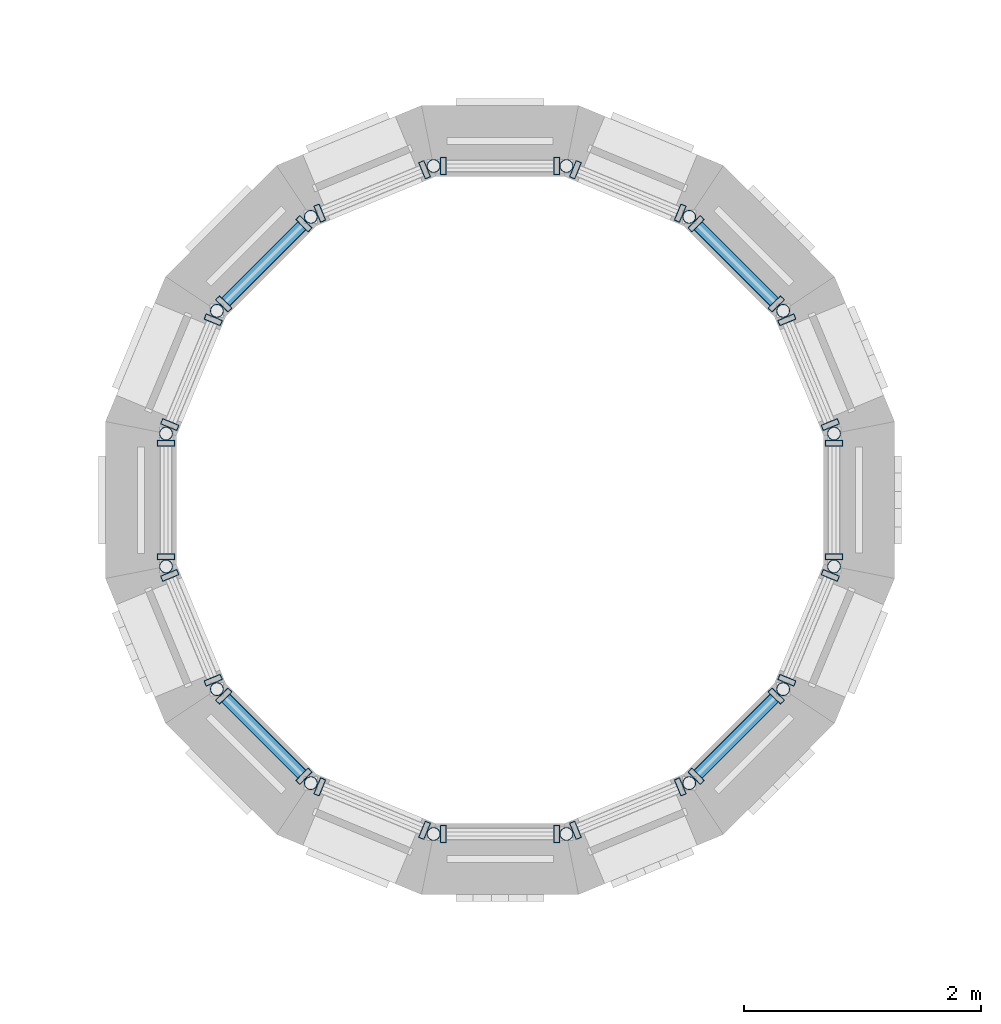
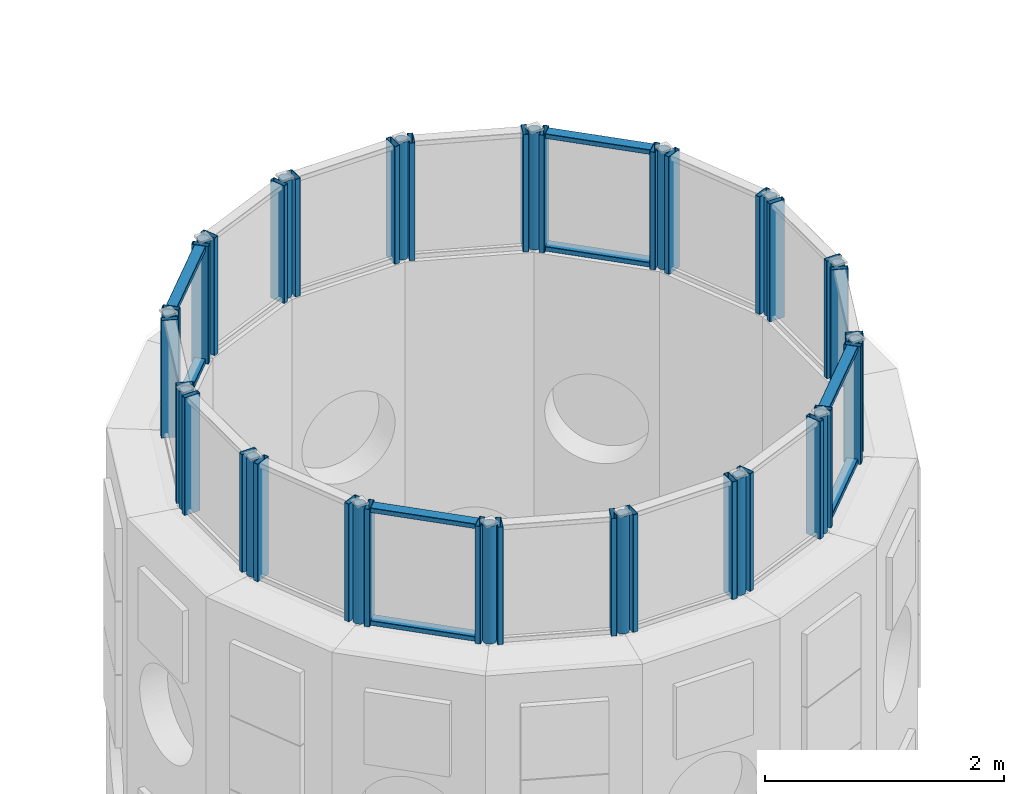
# One storey, part 3 of 42: 56 members, 16 elements without a shape of their own.
"""IFC4 building model written with IfcOpenShell, lengths in metres."""

from ifc_helpers import new_model, si_unit, direction, frame, origin, origin_2d, place, context, subcontext, project, spatial, hollow_rectangle, hollow_circle, extrude, material, material_profile, profile_set, type_object, element, aggregate, save


model = new_model("IFC4")

# Units and contexts
model_context = context("Model", 3, precision=1e-05, world=origin(), true_north=direction((0.0, 1.0)))
body_context = subcontext(model_context, "Body", "Model", "MODEL_VIEW")
ifc_project = project(units=[si_unit("LENGTHUNIT", "METRE"), si_unit("AREAUNIT", "SQUARE_METRE"), si_unit("VOLUMEUNIT", "CUBIC_METRE"), si_unit("PLANEANGLEUNIT", "RADIAN"), si_unit("MASSUNIT", "GRAM", prefix="KILO")], contexts=[model_context])

# Site, building, storey
site_placement = place(None, origin())
site = spatial("IfcSite", under=ifc_project, at=site_placement, CompositionType="ELEMENT")
building_placement = place(site_placement, origin())
building = spatial("IfcBuilding", under=site, at=building_placement, Name="Sun Court Science Centre", CompositionType="ELEMENT")
storey_placement = place(building_placement, frame((0.0, 0.0, 20.25)))
storey = spatial("IfcBuildingStorey", under=building, at=storey_placement, Name="L04", CompositionType="ELEMENT", Elevation=20.25)

# Curtain wall, members
ifc_material_1 = material(Name="Aluminium EN AW-6063 T6", Category="aluminium")
curtain_wall_type = type_object("IfcCurtainWallType", Name="Lantern clerestory curtain wall 1500", PredefinedType="NOTDEFINED", material=ifc_material_1)
curtain_wall_1_placement = place(storey_placement, origin())
curtain_wall_1 = element("IfcCurtainWall", 1, at=curtain_wall_1_placement, inside=storey, type_object=curtain_wall_type, Name="Curtain wall V2 C2 clerestory L04 01", PredefinedType="NOTDEFINED")
ifc_material_2 = material(Name="Aluminium EN AW-6063 T6", Category="aluminium")
ifc_material_profile_1 = material_profile(ifc_material_2, hollow_rectangle(XDim=0.050048828125, YDim=0.14990234375, WallThickness=0.00390625, InnerFilletRadius=0.00390625, OuterFilletRadius=0.006103515625, at=origin_2d()), Name="AL 50x150x4")
ifc_profile_set_1 = profile_set([ifc_material_profile_1], Name="Aluminium EN AW-6063 T6")
member_type_1 = type_object("IfcMemberType", Name="Curtain wall mullion AL 50x150", PredefinedType="MULLION", material=ifc_profile_set_1)
member_1_placement = place(storey_placement, frame((20.79150390625, 26.537353515625, 3.75), z_axis=(0.0, 0.0, 1.0), x_axis=(0.382683432365, -0.923879532511, 0.0)))
member_1 = element("IfcMember", 2, at=member_1_placement, type_object=member_type_1, Name="CW4-17 mullion 2", PredefinedType="MULLION", context=body_context, shape_type="SweptSolid", body=[
    extrude(hollow_rectangle(XDim=0.050048828125, YDim=0.14990234375, WallThickness=0.00390625, InnerFilletRadius=0.00390625, OuterFilletRadius=0.006103515625, at=origin_2d()), origin(), (0.0, 0.0, 1.0), 1.199951171875),
])
member_2_placement = place(storey_placement, frame((20.424560546875, 27.423095703125, 3.75), z_axis=(0.0, 0.0, 1.0), x_axis=(0.382683432365, -0.923879532511, 0.0)))
member_2 = element("IfcMember", 3, at=member_2_placement, type_object=member_type_1, Name="CW4-17 mullion 1", PredefinedType="MULLION", context=body_context, shape_type="SweptSolid", body=[
    extrude(hollow_rectangle(XDim=0.050048828125, YDim=0.14990234375, WallThickness=0.00390625, InnerFilletRadius=0.00390625, OuterFilletRadius=0.006103515625, at=origin_2d()), origin(), (0.0, 0.0, 1.0), 1.199951171875),
])
aggregate(curtain_wall_1, [member_1, member_2])

curtain_wall_2_placement = place(storey_placement, origin())
curtain_wall_2 = element("IfcCurtainWall", 4, at=curtain_wall_2_placement, inside=storey, type_object=curtain_wall_type, Name="Curtain wall V2 C2 clerestory L04 02", PredefinedType="NOTDEFINED")
member_3_placement = place(storey_placement, frame((19.6572265625, 28.235107421875, 3.75), z_axis=(0.0, 0.0, 1.0), x_axis=(0.707106781187, -0.707106781187, 0.0)))
member_3 = element("IfcMember", 5, at=member_3_placement, type_object=member_type_1, Name="CW4-18 mullion 1", PredefinedType="MULLION", context=body_context, shape_type="SweptSolid", body=[
    extrude(hollow_rectangle(XDim=0.050048828125, YDim=0.14990234375, WallThickness=0.00390625, InnerFilletRadius=0.00390625, OuterFilletRadius=0.006103515625, at=origin_2d()), origin(), (0.0, 0.0, 1.0), 1.199951171875),
])
member_4_placement = place(storey_placement, frame((20.335205078125, 27.55712890625, 3.75), z_axis=(0.0, 0.0, 1.0), x_axis=(0.707106781187, -0.707106781187, 0.0)))
member_4 = element("IfcMember", 6, at=member_4_placement, type_object=member_type_1, Name="CW4-18 mullion 2", PredefinedType="MULLION", context=body_context, shape_type="SweptSolid", body=[
    extrude(hollow_rectangle(XDim=0.050048828125, YDim=0.14990234375, WallThickness=0.00390625, InnerFilletRadius=0.00390625, OuterFilletRadius=0.006103515625, at=origin_2d()), origin(), (0.0, 0.0, 1.0), 1.199951171875),
])

curtain_wall_3_placement = place(storey_placement, origin())
curtain_wall_3 = element("IfcCurtainWall", 7, at=curtain_wall_3_placement, inside=storey, type_object=curtain_wall_type, Name="Curtain wall V2 C2 clerestory L04 03", PredefinedType="NOTDEFINED")
member_5_placement = place(storey_placement, frame((18.637451171875, 28.69140625, 3.75), z_axis=(0.0, 0.0, 1.0), x_axis=(0.923879532511, -0.382683432365, 0.0)))
member_5 = element("IfcMember", 8, at=member_5_placement, type_object=member_type_1, Name="CW4-19 mullion 1", PredefinedType="MULLION", context=body_context, shape_type="SweptSolid", body=[
    extrude(hollow_rectangle(XDim=0.050048828125, YDim=0.14990234375, WallThickness=0.00390625, InnerFilletRadius=0.00390625, OuterFilletRadius=0.006103515625, at=origin_2d()), origin(), (0.0, 0.0, 1.0), 1.199951171875),
])
member_6_placement = place(storey_placement, frame((19.523193359375, 28.32470703125, 3.75), z_axis=(0.0, 0.0, 1.0), x_axis=(0.923879532511, -0.382683432365, 0.0)))
member_6 = element("IfcMember", 9, at=member_6_placement, type_object=member_type_1, Name="CW4-19 mullion 2", PredefinedType="MULLION", context=body_context, shape_type="SweptSolid", body=[
    extrude(hollow_rectangle(XDim=0.050048828125, YDim=0.14990234375, WallThickness=0.00390625, InnerFilletRadius=0.00390625, OuterFilletRadius=0.006103515625, at=origin_2d()), origin(), (0.0, 0.0, 1.0), 1.199951171875),
])
aggregate(curtain_wall_3, [member_5, member_6])

curtain_wall_4_placement = place(storey_placement, origin())
curtain_wall_4 = element("IfcCurtainWall", 10, at=curtain_wall_4_placement, inside=storey, type_object=curtain_wall_type, Name="Curtain wall V2 C2 clerestory L04 04", PredefinedType="NOTDEFINED")
member_7_placement = place(storey_placement, frame((17.520751953125, 28.722900390625, 3.75), z_axis=(0.0, 0.0, 1.0), x_axis=(1.0, 0.0, 0.0)))
member_7 = element("IfcMember", 11, at=member_7_placement, type_object=member_type_1, Name="CW4-20 mullion 1", PredefinedType="MULLION", context=body_context, shape_type="SweptSolid", body=[
    extrude(hollow_rectangle(XDim=0.050048828125, YDim=0.14990234375, WallThickness=0.00390625, InnerFilletRadius=0.00390625, OuterFilletRadius=0.006103515625, at=origin_2d()), origin(), (0.0, 0.0, 1.0), 1.199951171875),
])
member_8_placement = place(storey_placement, frame((18.479248046875, 28.722900390625, 3.75), z_axis=(0.0, 0.0, 1.0), x_axis=(1.0, 0.0, 0.0)))
member_8 = element("IfcMember", 12, at=member_8_placement, type_object=member_type_1, Name="CW4-20 mullion 2", PredefinedType="MULLION", context=body_context, shape_type="SweptSolid", body=[
    extrude(hollow_rectangle(XDim=0.050048828125, YDim=0.14990234375, WallThickness=0.00390625, InnerFilletRadius=0.00390625, OuterFilletRadius=0.006103515625, at=origin_2d()), origin(), (0.0, 0.0, 1.0), 1.199951171875),
])
aggregate(curtain_wall_4, [member_7, member_8])

curtain_wall_5_placement = place(storey_placement, origin())
curtain_wall_5 = element("IfcCurtainWall", 13, at=curtain_wall_5_placement, inside=storey, type_object=curtain_wall_type, Name="Curtain wall V2 C2 clerestory L04 05", PredefinedType="NOTDEFINED")
member_9_placement = place(storey_placement, frame((16.476806640625, 28.32470703125, 3.75), z_axis=(0.0, 0.0, 1.0), x_axis=(0.923879532511, 0.382683432365, 0.0)))
member_9 = element("IfcMember", 14, at=member_9_placement, type_object=member_type_1, Name="CW4-21 mullion 1", PredefinedType="MULLION", context=body_context, shape_type="SweptSolid", body=[
    extrude(hollow_rectangle(XDim=0.050048828125, YDim=0.14990234375, WallThickness=0.00390625, InnerFilletRadius=0.00390625, OuterFilletRadius=0.006103515625, at=origin_2d()), origin(), (0.0, 0.0, 1.0), 1.199951171875),
])
member_10_placement = place(storey_placement, frame((17.362548828125, 28.69140625, 3.75), z_axis=(0.0, 0.0, 1.0), x_axis=(0.923879532511, 0.382683432365, 0.0)))
member_10 = element("IfcMember", 15, at=member_10_placement, type_object=member_type_1, Name="CW4-21 mullion 2", PredefinedType="MULLION", context=body_context, shape_type="SweptSolid", body=[
    extrude(hollow_rectangle(XDim=0.050048828125, YDim=0.14990234375, WallThickness=0.00390625, InnerFilletRadius=0.00390625, OuterFilletRadius=0.006103515625, at=origin_2d()), origin(), (0.0, 0.0, 1.0), 1.199951171875),
])
aggregate(curtain_wall_5, [member_9, member_10])

curtain_wall_6_placement = place(storey_placement, origin())
curtain_wall_6 = element("IfcCurtainWall", 16, at=curtain_wall_6_placement, inside=storey, type_object=curtain_wall_type, Name="Curtain wall V2 C2 clerestory L04 06", PredefinedType="NOTDEFINED")
member_11_placement = place(storey_placement, frame((15.664794921875, 27.55712890625, 3.75), z_axis=(0.0, 0.0, 1.0), x_axis=(0.707106781187, 0.707106781187, 0.0)))
member_11 = element("IfcMember", 17, at=member_11_placement, type_object=member_type_1, Name="CW4-22 mullion 1", PredefinedType="MULLION", context=body_context, shape_type="SweptSolid", body=[
    extrude(hollow_rectangle(XDim=0.050048828125, YDim=0.14990234375, WallThickness=0.00390625, InnerFilletRadius=0.00390625, OuterFilletRadius=0.006103515625, at=origin_2d()), origin(), (0.0, 0.0, 1.0), 1.199951171875),
])
member_12_placement = place(storey_placement, frame((16.3427734375, 28.235107421875, 3.75), z_axis=(0.0, 0.0, 1.0), x_axis=(0.707106781187, 0.707106781187, 0.0)))
member_12 = element("IfcMember", 18, at=member_12_placement, type_object=member_type_1, Name="CW4-22 mullion 2", PredefinedType="MULLION", context=body_context, shape_type="SweptSolid", body=[
    extrude(hollow_rectangle(XDim=0.050048828125, YDim=0.14990234375, WallThickness=0.00390625, InnerFilletRadius=0.00390625, OuterFilletRadius=0.006103515625, at=origin_2d()), origin(), (0.0, 0.0, 1.0), 1.199951171875),
])

curtain_wall_7_placement = place(storey_placement, origin())
curtain_wall_7 = element("IfcCurtainWall", 19, at=curtain_wall_7_placement, inside=storey, type_object=curtain_wall_type, Name="Curtain wall V2 C2 clerestory L04 07", PredefinedType="NOTDEFINED")
member_13_placement = place(storey_placement, frame((15.20849609375, 26.537353515625, 3.75), z_axis=(0.0, 0.0, 1.0), x_axis=(0.382683432365, 0.923879532511, 0.0)))
member_13 = element("IfcMember", 20, at=member_13_placement, type_object=member_type_1, Name="CW4-23 mullion 1", PredefinedType="MULLION", context=body_context, shape_type="SweptSolid", body=[
    extrude(hollow_rectangle(XDim=0.050048828125, YDim=0.14990234375, WallThickness=0.00390625, InnerFilletRadius=0.00390625, OuterFilletRadius=0.006103515625, at=origin_2d()), origin(), (0.0, 0.0, 1.0), 1.199951171875),
])
member_14_placement = place(storey_placement, frame((15.575439453125, 27.423095703125, 3.75), z_axis=(0.0, 0.0, 1.0), x_axis=(0.382683432365, 0.923879532511, 0.0)))
member_14 = element("IfcMember", 21, at=member_14_placement, type_object=member_type_1, Name="CW4-23 mullion 2", PredefinedType="MULLION", context=body_context, shape_type="SweptSolid", body=[
    extrude(hollow_rectangle(XDim=0.050048828125, YDim=0.14990234375, WallThickness=0.00390625, InnerFilletRadius=0.00390625, OuterFilletRadius=0.006103515625, at=origin_2d()), origin(), (0.0, 0.0, 1.0), 1.199951171875),
])
aggregate(curtain_wall_7, [member_13, member_14])

curtain_wall_8_placement = place(storey_placement, origin())
curtain_wall_8 = element("IfcCurtainWall", 22, at=curtain_wall_8_placement, inside=storey, type_object=curtain_wall_type, Name="Curtain wall V2 C2 clerestory L04 08", PredefinedType="NOTDEFINED")
member_15_placement = place(storey_placement, frame((15.177001953125, 25.420654296875, 3.75), z_axis=(0.0, 0.0, 1.0), x_axis=(0.0, 1.0, 0.0)))
member_15 = element("IfcMember", 23, at=member_15_placement, type_object=member_type_1, Name="CW4-24 mullion 1", PredefinedType="MULLION", context=body_context, shape_type="SweptSolid", body=[
    extrude(hollow_rectangle(XDim=0.050048828125, YDim=0.14990234375, WallThickness=0.00390625, InnerFilletRadius=0.00390625, OuterFilletRadius=0.006103515625, at=origin_2d()), origin(), (0.0, 0.0, 1.0), 1.199951171875),
])
member_16_placement = place(storey_placement, frame((15.177001953125, 26.37939453125, 3.75), z_axis=(0.0, 0.0, 1.0), x_axis=(0.0, 1.0, 0.0)))
member_16 = element("IfcMember", 24, at=member_16_placement, type_object=member_type_1, Name="CW4-24 mullion 2", PredefinedType="MULLION", context=body_context, shape_type="SweptSolid", body=[
    extrude(hollow_rectangle(XDim=0.050048828125, YDim=0.14990234375, WallThickness=0.00390625, InnerFilletRadius=0.00390625, OuterFilletRadius=0.006103515625, at=origin_2d()), origin(), (0.0, 0.0, 1.0), 1.199951171875),
])
aggregate(curtain_wall_8, [member_15, member_16])

curtain_wall_9_placement = place(storey_placement, origin())
curtain_wall_9 = element("IfcCurtainWall", 25, at=curtain_wall_9_placement, inside=storey, type_object=curtain_wall_type, Name="Curtain wall V2 C2 clerestory L04 09", PredefinedType="NOTDEFINED")
member_17_placement = place(storey_placement, frame((15.575439453125, 24.376708984375, 3.75), z_axis=(0.0, 0.0, 1.0), x_axis=(-0.382683432365, 0.923879532511, 0.0)))
member_17 = element("IfcMember", 26, at=member_17_placement, type_object=member_type_1, Name="CW4-25 mullion 1", PredefinedType="MULLION", context=body_context, shape_type="SweptSolid", body=[
    extrude(hollow_rectangle(XDim=0.050048828125, YDim=0.14990234375, WallThickness=0.00390625, InnerFilletRadius=0.00390625, OuterFilletRadius=0.006103515625, at=origin_2d()), origin(), (0.0, 0.0, 1.0), 1.199951171875),
])
member_18_placement = place(storey_placement, frame((15.20849609375, 25.2626953125, 3.75), z_axis=(0.0, 0.0, 1.0), x_axis=(-0.382683432365, 0.923879532511, 0.0)))
member_18 = element("IfcMember", 27, at=member_18_placement, type_object=member_type_1, Name="CW4-25 mullion 2", PredefinedType="MULLION", context=body_context, shape_type="SweptSolid", body=[
    extrude(hollow_rectangle(XDim=0.050048828125, YDim=0.14990234375, WallThickness=0.00390625, InnerFilletRadius=0.00390625, OuterFilletRadius=0.006103515625, at=origin_2d()), origin(), (0.0, 0.0, 1.0), 1.199951171875),
])
aggregate(curtain_wall_9, [member_17, member_18])

curtain_wall_10_placement = place(storey_placement, origin())
curtain_wall_10 = element("IfcCurtainWall", 28, at=curtain_wall_10_placement, inside=storey, type_object=curtain_wall_type, Name="Curtain wall V2 C2 clerestory L04 10", PredefinedType="NOTDEFINED")
member_19_placement = place(storey_placement, frame((15.664794921875, 24.242919921875, 3.75), z_axis=(0.0, 0.0, 1.0), x_axis=(-0.707106781187, 0.707106781187, 0.0)))
member_19 = element("IfcMember", 29, at=member_19_placement, type_object=member_type_1, Name="CW4-26 mullion 2", PredefinedType="MULLION", context=body_context, shape_type="SweptSolid", body=[
    extrude(hollow_rectangle(XDim=0.050048828125, YDim=0.14990234375, WallThickness=0.00390625, InnerFilletRadius=0.00390625, OuterFilletRadius=0.006103515625, at=origin_2d()), origin(), (0.0, 0.0, 1.0), 1.199951171875),
])
member_20_placement = place(storey_placement, frame((16.3427734375, 23.56494140625, 3.75), z_axis=(0.0, 0.0, 1.0), x_axis=(-0.707106781187, 0.707106781187, 0.0)))
member_20 = element("IfcMember", 30, at=member_20_placement, type_object=member_type_1, Name="CW4-26 mullion 1", PredefinedType="MULLION", context=body_context, shape_type="SweptSolid", body=[
    extrude(hollow_rectangle(XDim=0.050048828125, YDim=0.14990234375, WallThickness=0.00390625, InnerFilletRadius=0.00390625, OuterFilletRadius=0.006103515625, at=origin_2d()), origin(), (0.0, 0.0, 1.0), 1.199951171875),
])

curtain_wall_11_placement = place(storey_placement, origin())
curtain_wall_11 = element("IfcCurtainWall", 31, at=curtain_wall_11_placement, inside=storey, type_object=curtain_wall_type, Name="Curtain wall V2 C2 clerestory L04 11", PredefinedType="NOTDEFINED")
member_21_placement = place(storey_placement, frame((16.476806640625, 23.475341796875, 3.75), z_axis=(0.0, 0.0, 1.0), x_axis=(-0.923879532511, 0.382683432365, 0.0)))
member_21 = element("IfcMember", 32, at=member_21_placement, type_object=member_type_1, Name="CW4-27 mullion 2", PredefinedType="MULLION", context=body_context, shape_type="SweptSolid", body=[
    extrude(hollow_rectangle(XDim=0.050048828125, YDim=0.14990234375, WallThickness=0.00390625, InnerFilletRadius=0.00390625, OuterFilletRadius=0.006103515625, at=origin_2d()), origin(), (0.0, 0.0, 1.0), 1.199951171875),
])
member_22_placement = place(storey_placement, frame((17.362548828125, 23.1083984375, 3.75), z_axis=(0.0, 0.0, 1.0), x_axis=(-0.923879532511, 0.382683432365, 0.0)))
member_22 = element("IfcMember", 33, at=member_22_placement, type_object=member_type_1, Name="CW4-27 mullion 1", PredefinedType="MULLION", context=body_context, shape_type="SweptSolid", body=[
    extrude(hollow_rectangle(XDim=0.050048828125, YDim=0.14990234375, WallThickness=0.00390625, InnerFilletRadius=0.00390625, OuterFilletRadius=0.006103515625, at=origin_2d()), origin(), (0.0, 0.0, 1.0), 1.199951171875),
])
aggregate(curtain_wall_11, [member_21, member_22])

curtain_wall_12_placement = place(storey_placement, origin())
curtain_wall_12 = element("IfcCurtainWall", 34, at=curtain_wall_12_placement, inside=storey, type_object=curtain_wall_type, Name="Curtain wall V2 C2 clerestory L04 12", PredefinedType="NOTDEFINED")
member_23_placement = place(storey_placement, frame((17.520751953125, 23.0771484375, 3.75), z_axis=(0.0, 0.0, 1.0), x_axis=(-1.0, 0.0, 0.0)))
member_23 = element("IfcMember", 35, at=member_23_placement, type_object=member_type_1, Name="CW4-28 mullion 2", PredefinedType="MULLION", context=body_context, shape_type="SweptSolid", body=[
    extrude(hollow_rectangle(XDim=0.050048828125, YDim=0.14990234375, WallThickness=0.00390625, InnerFilletRadius=0.00390625, OuterFilletRadius=0.006103515625, at=origin_2d()), origin(), (0.0, 0.0, 1.0), 1.199951171875),
])
member_24_placement = place(storey_placement, frame((18.479248046875, 23.0771484375, 3.75), z_axis=(0.0, 0.0, 1.0), x_axis=(-1.0, 0.0, 0.0)))
member_24 = element("IfcMember", 36, at=member_24_placement, type_object=member_type_1, Name="CW4-28 mullion 1", PredefinedType="MULLION", context=body_context, shape_type="SweptSolid", body=[
    extrude(hollow_rectangle(XDim=0.050048828125, YDim=0.14990234375, WallThickness=0.00390625, InnerFilletRadius=0.00390625, OuterFilletRadius=0.006103515625, at=origin_2d()), origin(), (0.0, 0.0, 1.0), 1.199951171875),
])
aggregate(curtain_wall_12, [member_23, member_24])

curtain_wall_13_placement = place(storey_placement, origin())
curtain_wall_13 = element("IfcCurtainWall", 37, at=curtain_wall_13_placement, inside=storey, type_object=curtain_wall_type, Name="Curtain wall V2 C2 clerestory L04 13", PredefinedType="NOTDEFINED")
member_25_placement = place(storey_placement, frame((18.637451171875, 23.1083984375, 3.75), z_axis=(0.0, 0.0, 1.0), x_axis=(-0.923879532511, -0.382683432365, 0.0)))
member_25 = element("IfcMember", 38, at=member_25_placement, type_object=member_type_1, Name="CW4-29 mullion 2", PredefinedType="MULLION", context=body_context, shape_type="SweptSolid", body=[
    extrude(hollow_rectangle(XDim=0.050048828125, YDim=0.14990234375, WallThickness=0.00390625, InnerFilletRadius=0.00390625, OuterFilletRadius=0.006103515625, at=origin_2d()), origin(), (0.0, 0.0, 1.0), 1.199951171875),
])
member_26_placement = place(storey_placement, frame((19.523193359375, 23.475341796875, 3.75), z_axis=(0.0, 0.0, 1.0), x_axis=(-0.923879532511, -0.382683432365, 0.0)))
member_26 = element("IfcMember", 39, at=member_26_placement, type_object=member_type_1, Name="CW4-29 mullion 1", PredefinedType="MULLION", context=body_context, shape_type="SweptSolid", body=[
    extrude(hollow_rectangle(XDim=0.050048828125, YDim=0.14990234375, WallThickness=0.00390625, InnerFilletRadius=0.00390625, OuterFilletRadius=0.006103515625, at=origin_2d()), origin(), (0.0, 0.0, 1.0), 1.199951171875),
])
aggregate(curtain_wall_13, [member_25, member_26])

curtain_wall_14_placement = place(storey_placement, origin())
curtain_wall_14 = element("IfcCurtainWall", 40, at=curtain_wall_14_placement, inside=storey, type_object=curtain_wall_type, Name="Curtain wall V2 C2 clerestory L04 14", PredefinedType="NOTDEFINED")
member_27_placement = place(storey_placement, frame((19.6572265625, 23.56494140625, 3.75), z_axis=(0.0, 0.0, 1.0), x_axis=(-0.707106781187, -0.707106781187, 0.0)))
member_27 = element("IfcMember", 41, at=member_27_placement, type_object=member_type_1, Name="CW4-30 mullion 2", PredefinedType="MULLION", context=body_context, shape_type="SweptSolid", body=[
    extrude(hollow_rectangle(XDim=0.050048828125, YDim=0.14990234375, WallThickness=0.00390625, InnerFilletRadius=0.00390625, OuterFilletRadius=0.006103515625, at=origin_2d()), origin(), (0.0, 0.0, 1.0), 1.199951171875),
])
member_28_placement = place(storey_placement, frame((20.335205078125, 24.242919921875, 3.75), z_axis=(0.0, 0.0, 1.0), x_axis=(-0.707106781187, -0.707106781187, 0.0)))
member_28 = element("IfcMember", 42, at=member_28_placement, type_object=member_type_1, Name="CW4-30 mullion 1", PredefinedType="MULLION", context=body_context, shape_type="SweptSolid", body=[
    extrude(hollow_rectangle(XDim=0.050048828125, YDim=0.14990234375, WallThickness=0.00390625, InnerFilletRadius=0.00390625, OuterFilletRadius=0.006103515625, at=origin_2d()), origin(), (0.0, 0.0, 1.0), 1.199951171875),
])

curtain_wall_15_placement = place(storey_placement, origin())
curtain_wall_15 = element("IfcCurtainWall", 43, at=curtain_wall_15_placement, inside=storey, type_object=curtain_wall_type, Name="Curtain wall V2 C2 clerestory L04 15", PredefinedType="NOTDEFINED")
member_29_placement = place(storey_placement, frame((20.424560546875, 24.376708984375, 3.75), z_axis=(0.0, 0.0, 1.0), x_axis=(-0.382683432365, -0.923879532511, 0.0)))
member_29 = element("IfcMember", 44, at=member_29_placement, type_object=member_type_1, Name="CW4-31 mullion 2", PredefinedType="MULLION", context=body_context, shape_type="SweptSolid", body=[
    extrude(hollow_rectangle(XDim=0.050048828125, YDim=0.14990234375, WallThickness=0.00390625, InnerFilletRadius=0.00390625, OuterFilletRadius=0.006103515625, at=origin_2d()), origin(), (0.0, 0.0, 1.0), 1.199951171875),
])
member_30_placement = place(storey_placement, frame((20.79150390625, 25.2626953125, 3.75), z_axis=(0.0, 0.0, 1.0), x_axis=(-0.382683432365, -0.923879532511, 0.0)))
member_30 = element("IfcMember", 45, at=member_30_placement, type_object=member_type_1, Name="CW4-31 mullion 1", PredefinedType="MULLION", context=body_context, shape_type="SweptSolid", body=[
    extrude(hollow_rectangle(XDim=0.050048828125, YDim=0.14990234375, WallThickness=0.00390625, InnerFilletRadius=0.00390625, OuterFilletRadius=0.006103515625, at=origin_2d()), origin(), (0.0, 0.0, 1.0), 1.199951171875),
])
aggregate(curtain_wall_15, [member_29, member_30])

curtain_wall_16_placement = place(storey_placement, origin())
curtain_wall_16 = element("IfcCurtainWall", 46, at=curtain_wall_16_placement, inside=storey, type_object=curtain_wall_type, Name="Curtain wall V2 C2 clerestory L04 16", PredefinedType="NOTDEFINED")
member_31_placement = place(storey_placement, frame((20.822998046875, 25.420654296875, 3.75), z_axis=(0.0, 0.0, 1.0), x_axis=(0.0, -1.0, 0.0)))
member_31 = element("IfcMember", 47, at=member_31_placement, type_object=member_type_1, Name="CW4-32 mullion 2", PredefinedType="MULLION", context=body_context, shape_type="SweptSolid", body=[
    extrude(hollow_rectangle(XDim=0.050048828125, YDim=0.14990234375, WallThickness=0.00390625, InnerFilletRadius=0.00390625, OuterFilletRadius=0.006103515625, at=origin_2d()), origin(), (0.0, 0.0, 1.0), 1.199951171875),
])
member_32_placement = place(storey_placement, frame((20.822998046875, 26.37939453125, 3.75), z_axis=(0.0, 0.0, 1.0), x_axis=(0.0, -1.0, 0.0)))
member_32 = element("IfcMember", 48, at=member_32_placement, type_object=member_type_1, Name="CW4-32 mullion 1", PredefinedType="MULLION", context=body_context, shape_type="SweptSolid", body=[
    extrude(hollow_rectangle(XDim=0.050048828125, YDim=0.14990234375, WallThickness=0.00390625, InnerFilletRadius=0.00390625, OuterFilletRadius=0.006103515625, at=origin_2d()), origin(), (0.0, 0.0, 1.0), 1.199951171875),
])
aggregate(curtain_wall_16, [member_31, member_32])

# Member
ifc_material_3 = material(Name="Aluminium EN AW-6063 T6", Category="aluminium")
ifc_material_profile_2 = material_profile(ifc_material_3, hollow_rectangle(XDim=0.050048828125, YDim=0.10009765625, WallThickness=0.00390625, InnerFilletRadius=0.00390625, OuterFilletRadius=0.006103515625, at=origin_2d()), Name="AL 50x100x4")
ifc_profile_set_2 = profile_set([ifc_material_profile_2], Name="Aluminium EN AW-6063 T6")
member_type_2 = type_object("IfcMemberType", Name="Curtain wall transom AL 50x100", PredefinedType="USERDEFINED", material=ifc_profile_set_2)
member_33_placement = place(storey_placement, frame((19.6748046875, 28.21728515625, 3.77490234375), z_axis=(0.707241122739, -0.706972414106, 0.0), x_axis=(0.0, 0.0, 1.0)))
member_33 = element("IfcMember", 49, at=member_33_placement, type_object=member_type_2, Name="CW4-18 transom 1.1", ObjectType="TRANSOM", PredefinedType="USERDEFINED", context=body_context, shape_type="SweptSolid", body=[
    extrude(hollow_rectangle(XDim=0.050048828125, YDim=0.10009765625, WallThickness=0.00390625, InnerFilletRadius=0.00390625, OuterFilletRadius=0.006103515625, at=origin_2d()), origin(), (0.0, 0.0, 1.0), 0.90869140625),
])

member_34_placement = place(storey_placement, frame((19.6748046875, 28.21728515625, 4.925048828125), z_axis=(0.707241122739, -0.706972414106, 0.0), x_axis=(0.0, 0.0, 1.0)))
member_34 = element("IfcMember", 50, at=member_34_placement, type_object=member_type_2, Name="CW4-18 transom 1.2", ObjectType="TRANSOM", PredefinedType="USERDEFINED", context=body_context, shape_type="SweptSolid", body=[
    extrude(hollow_rectangle(XDim=0.050048828125, YDim=0.10009765625, WallThickness=0.00390625, InnerFilletRadius=0.00390625, OuterFilletRadius=0.006103515625, at=origin_2d()), origin(), (0.0, 0.0, 1.0), 0.90869140625),
])

aggregate(curtain_wall_2, [member_3, member_4, member_33, member_34])

member_35_placement = place(storey_placement, frame((15.6826171875, 27.574951171875, 3.77490234375), z_axis=(0.707241122739, 0.706972414106, 0.0), x_axis=(0.0, 0.0, 1.0)))
member_35 = element("IfcMember", 51, at=member_35_placement, type_object=member_type_2, Name="CW4-22 transom 1.1", ObjectType="TRANSOM", PredefinedType="USERDEFINED", context=body_context, shape_type="SweptSolid", body=[
    extrude(hollow_rectangle(XDim=0.050048828125, YDim=0.10009765625, WallThickness=0.00390625, InnerFilletRadius=0.00390625, OuterFilletRadius=0.006103515625, at=origin_2d()), origin(), (0.0, 0.0, 1.0), 0.90869140625),
])

member_36_placement = place(storey_placement, frame((15.6826171875, 27.574951171875, 4.925048828125), z_axis=(0.707241122739, 0.706972414106, 0.0), x_axis=(0.0, 0.0, 1.0)))
member_36 = element("IfcMember", 52, at=member_36_placement, type_object=member_type_2, Name="CW4-22 transom 1.2", ObjectType="TRANSOM", PredefinedType="USERDEFINED", context=body_context, shape_type="SweptSolid", body=[
    extrude(hollow_rectangle(XDim=0.050048828125, YDim=0.10009765625, WallThickness=0.00390625, InnerFilletRadius=0.00390625, OuterFilletRadius=0.006103515625, at=origin_2d()), origin(), (0.0, 0.0, 1.0), 0.90869140625),
])

aggregate(curtain_wall_6, [member_11, member_12, member_35, member_36])

member_37_placement = place(storey_placement, frame((16.3251953125, 23.58251953125, 3.77490234375), z_axis=(-0.707106781187, 0.707106781187, 0.0), x_axis=(0.0, 0.0, 1.0)))
member_37 = element("IfcMember", 53, at=member_37_placement, type_object=member_type_2, Name="CW4-26 transom 1.1", ObjectType="TRANSOM", PredefinedType="USERDEFINED", context=body_context, shape_type="SweptSolid", body=[
    extrude(hollow_rectangle(XDim=0.050048828125, YDim=0.10009765625, WallThickness=0.00390625, InnerFilletRadius=0.00390625, OuterFilletRadius=0.006103515625, at=origin_2d()), origin(), (0.0, 0.0, 1.0), 0.90869140625),
])

member_38_placement = place(storey_placement, frame((16.3251953125, 23.58251953125, 4.925048828125), z_axis=(-0.707106781187, 0.707106781187, 0.0), x_axis=(0.0, 0.0, 1.0)))
member_38 = element("IfcMember", 54, at=member_38_placement, type_object=member_type_2, Name="CW4-26 transom 1.2", ObjectType="TRANSOM", PredefinedType="USERDEFINED", context=body_context, shape_type="SweptSolid", body=[
    extrude(hollow_rectangle(XDim=0.050048828125, YDim=0.10009765625, WallThickness=0.00390625, InnerFilletRadius=0.00390625, OuterFilletRadius=0.006103515625, at=origin_2d()), origin(), (0.0, 0.0, 1.0), 0.90869140625),
])

aggregate(curtain_wall_10, [member_19, member_20, member_37, member_38])

member_39_placement = place(storey_placement, frame((20.3173828125, 24.22509765625, 3.77490234375), z_axis=(-0.707106781187, -0.707106781187, 0.0), x_axis=(0.0, 0.0, 1.0)))
member_39 = element("IfcMember", 55, at=member_39_placement, type_object=member_type_2, Name="CW4-30 transom 1.1", ObjectType="TRANSOM", PredefinedType="USERDEFINED", context=body_context, shape_type="SweptSolid", body=[
    extrude(hollow_rectangle(XDim=0.050048828125, YDim=0.10009765625, WallThickness=0.00390625, InnerFilletRadius=0.00390625, OuterFilletRadius=0.006103515625, at=origin_2d()), origin(), (0.0, 0.0, 1.0), 0.90869140625),
])

member_40_placement = place(storey_placement, frame((20.3173828125, 24.22509765625, 4.925048828125), z_axis=(-0.707106781187, -0.707106781187, 0.0), x_axis=(0.0, 0.0, 1.0)))
member_40 = element("IfcMember", 56, at=member_40_placement, type_object=member_type_2, Name="CW4-30 transom 1.2", ObjectType="TRANSOM", PredefinedType="USERDEFINED", context=body_context, shape_type="SweptSolid", body=[
    extrude(hollow_rectangle(XDim=0.050048828125, YDim=0.10009765625, WallThickness=0.00390625, InnerFilletRadius=0.00390625, OuterFilletRadius=0.006103515625, at=origin_2d()), origin(), (0.0, 0.0, 1.0), 0.90869140625),
])

aggregate(curtain_wall_14, [member_27, member_28, member_39, member_40])

# Members
ifc_material_4 = material(Name="Steel S355", Category="steel")
ifc_material_profile_3 = material_profile(ifc_material_4, hollow_circle(Radius=0.05712890625, WallThickness=0.00634765625, at=origin_2d()), Name="CHS 114.3x6.3")
ifc_profile_set_3 = profile_set([ifc_material_profile_3], Name="Steel S355")
member_type_3 = type_object("IfcMemberType", Name="Lantern post CHS 114.3x6.3", PredefinedType="POST", material=ifc_profile_set_3)
for number, where, z_axis, x_axis, name in (
    (57, (20.822998046875, 26.46142578125, 3.75), (0.0, 0.0, 1.0), (1.0, 0.0, 0.0), "Cone 2 clerestory post 1"),
    (58, (20.39306640625, 27.4990234375, 3.75), (0.0, 0.0, 1.0), (1.0, 0.0, 0.0), "Cone 2 clerestory post 2"),
    (59, (19.59912109375, 28.293212890625, 3.75), (0.0, 0.0, 1.0), (1.0, 0.0, 0.0), "Cone 2 clerestory post 3"),
    (60, (18.5615234375, 28.722900390625, 3.75), (0.0, 0.0, 1.0), (1.0, 0.0, 0.0), "Cone 2 clerestory post 4"),
    (61, (17.4384765625, 28.722900390625, 3.75), (0.0, 0.0, 1.0), (1.0, 0.0, 0.0), "Cone 2 clerestory post 5"),
    (62, (16.40087890625, 28.293212890625, 3.75), (0.0, 0.0, 1.0), (1.0, 0.0, 0.0), "Cone 2 clerestory post 6"),
    (63, (15.60693359375, 27.4990234375, 3.75), (0.0, 0.0, 1.0), (1.0, 0.0, 0.0), "Cone 2 clerestory post 7"),
    (64, (15.177001953125, 26.46142578125, 3.75), (0.0, 0.0, 1.0), (1.0, 0.0, 0.0), "Cone 2 clerestory post 8"),
    (65, (15.177001953125, 25.33837890625, 3.75), (0.0, 0.0, 1.0), (1.0, 0.0, 0.0), "Cone 2 clerestory post 9"),
    (66, (15.60693359375, 24.301025390625, 3.75), (0.0, 0.0, 1.0), (1.0, 0.0, 0.0), "Cone 2 clerestory post 10"),
    (67, (16.40087890625, 23.5068359375, 3.75), (0.0, 0.0, 1.0), (1.0, 0.0, 0.0), "Cone 2 clerestory post 11"),
    (68, (17.4384765625, 23.0771484375, 3.75), (0.0, 0.0, 1.0), (1.0, 0.0, 0.0), "Cone 2 clerestory post 12"),
    (69, (18.5615234375, 23.0771484375, 3.75), (0.0, 0.0, 1.0), (1.0, 0.0, 0.0), "Cone 2 clerestory post 13"),
    (70, (19.59912109375, 23.5068359375, 3.75), (0.0, 0.0, 1.0), (1.0, 0.0, 0.0), "Cone 2 clerestory post 14"),
    (71, (20.39306640625, 24.301025390625, 3.75), (0.0, 0.0, 1.0), (1.0, 0.0, 0.0), "Cone 2 clerestory post 15"),
    (72, (20.822998046875, 25.33837890625, 3.75), (0.0, 0.0, 1.0), (1.0, 0.0, 0.0), "Cone 2 clerestory post 16"),
):
    element("IfcMember", number, at=place(storey_placement, frame(where, z_axis=z_axis, x_axis=x_axis)), inside=storey, type_object=member_type_3, Name=name, PredefinedType="POST", context=body_context, shape_type="SweptSolid", body=[
        extrude(hollow_circle(Radius=0.05712890625, WallThickness=0.00634765625, at=origin_2d()), origin(), (0.0, 0.0, 1.0), 1.199951171875),
    ])

save(model, "model.ifc")
